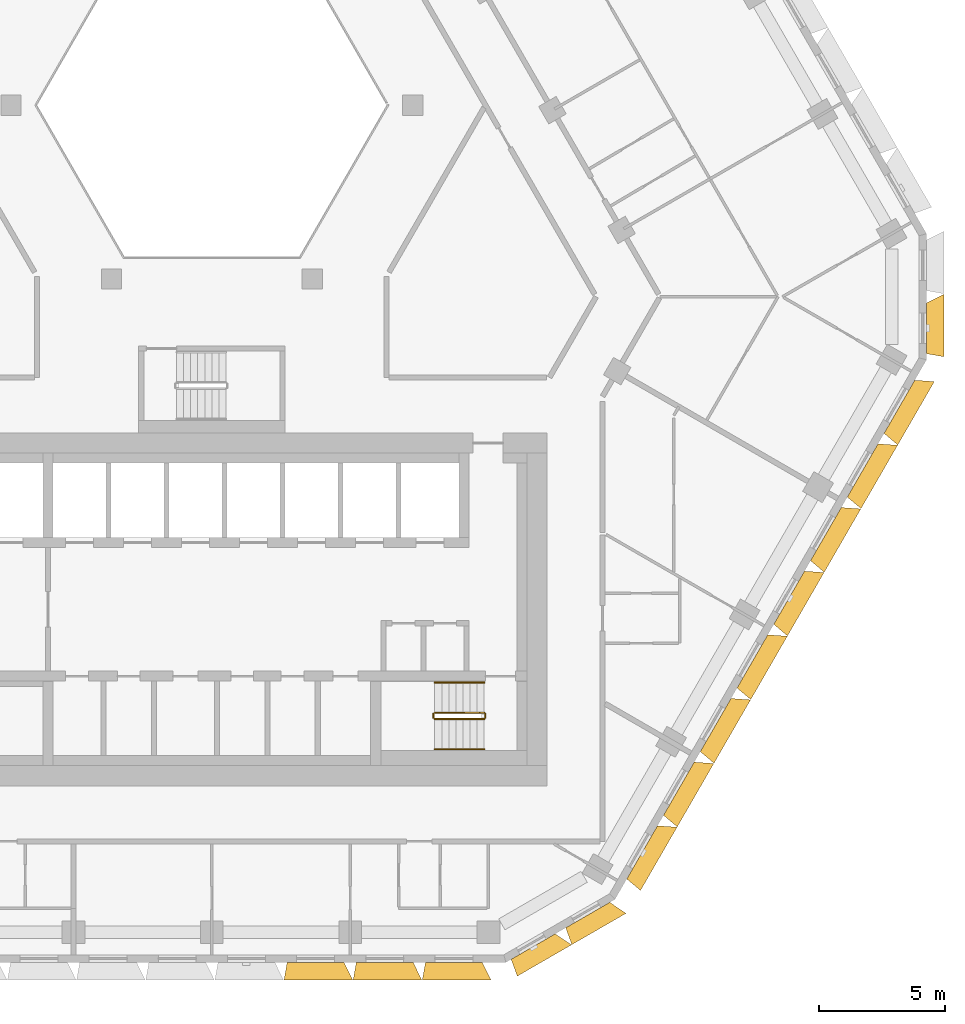
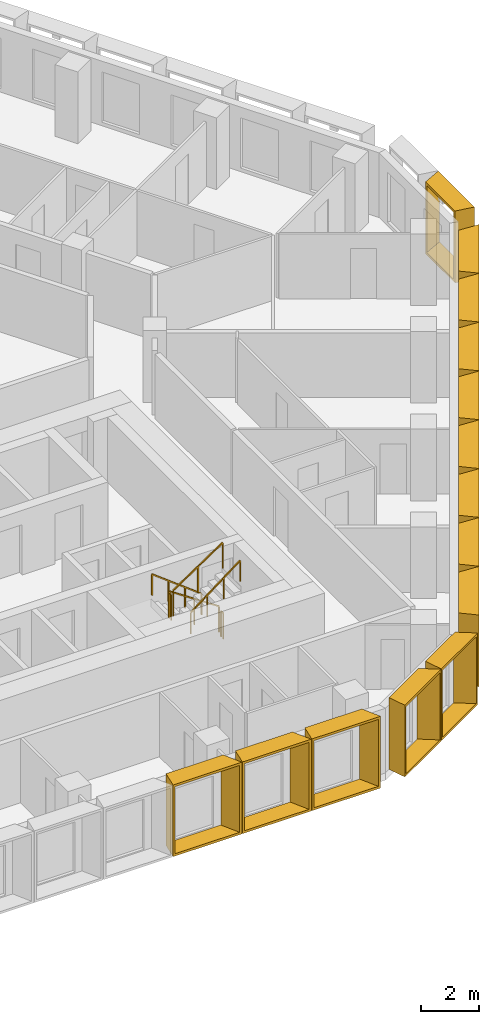
# One storey, part 17 of 18: 14 shading devices, 6 railings.
"""IFC4 building model written with IfcOpenShell, lengths in metres."""

from ifc_helpers import new_model, entity, si_unit, direction, frame, origin, origin_2d, place, context, subcontext, project, spatial, rectangle, extrude, source, transform, mapped, material, type_object, type_shapes, element, save


model = new_model("IFC4")

# Units and contexts
model_context = context("Model", 3, precision=1e-05, world=origin(), true_north=direction((0.0, 1.0)))
body_context = subcontext(model_context, "Body", "Model", "MODEL_VIEW")
ifc_project = project(units=[si_unit("LENGTHUNIT", "METRE"), si_unit("AREAUNIT", "SQUARE_METRE"), si_unit("VOLUMEUNIT", "CUBIC_METRE"), si_unit("PLANEANGLEUNIT", "RADIAN"), si_unit("MASSUNIT", "GRAM", prefix="KILO")], contexts=[model_context])

# Site, building, storey
site_placement = place(None, origin())
site = spatial("IfcSite", under=ifc_project, at=site_placement, CompositionType="ELEMENT")
building_placement = place(site_placement, origin())
building = spatial("IfcBuilding", under=site, at=building_placement, Name="Beryl Residences", CompositionType="ELEMENT")
storey_placement = place(building_placement, frame((0.0, 0.0, 138.60009765625)))
storey = spatial("IfcBuildingStorey", under=building, at=storey_placement, Name="L42", CompositionType="ELEMENT", Elevation=138.60009765625)

# Shading devices
ifc_material_1 = material(Name="Aluminium pale anodised", Category="aluminium")
shading_device_type_1 = type_object("IfcShadingDeviceType", Name="FR250-70C OUTER SKIN frame 700 mm deep, splay 10/26 deg, 2500 x 3000 mm cell", PredefinedType="USERDEFINED", material=ifc_material_1)
cartesian_point_1 = entity("IfcCartesianPoint", [-1.007568359375, 0.0])
cartesian_point_2 = entity("IfcCartesianPoint", [-0.92626953125, 0.10009765625])
cartesian_point_3 = entity("IfcCartesianPoint", [-1.130859375, 0.0])
cartesian_point_4 = entity("IfcCartesianPoint", [-1.0498046875, 0.10009765625])
shared_shape_1 = source(origin(), body_context, "Body", "SweptSolid", [
    entity("IfcExtrudedAreaSolidTapered", entity("IfcArbitraryProfileDefWithVoids", "AREA", None, entity("IfcPolyline", [cartesian_point_1, entity("IfcCartesianPoint", [1.007568359375, 0.0]), entity("IfcCartesianPoint", [1.007568359375, 3.0]), entity("IfcCartesianPoint", [-1.007568359375, 3.0]), cartesian_point_1]), [entity("IfcPolyline", [cartesian_point_2, entity("IfcCartesianPoint", [0.91845703125, 0.10009765625]), entity("IfcCartesianPoint", [0.91845703125, 2.89990234375]), entity("IfcCartesianPoint", [-0.92626953125, 2.89990234375]), cartesian_point_2])]), entity("IfcAxis2Placement3D", entity("IfcCartesianPoint", [0.0, 0.0, 0.0]), entity("IfcDirection", [0.0, 1.0, 0.0]), entity("IfcDirection", [-1.0, 0.0, 0.0])), entity("IfcDirection", [0.0, 0.0, 1.0]), 0.699951171875, entity("IfcArbitraryProfileDefWithVoids", "AREA", None, entity("IfcPolyline", [cartesian_point_3, entity("IfcCartesianPoint", [1.348876953125, 0.0]), entity("IfcCartesianPoint", [1.348876953125, 3.0]), entity("IfcCartesianPoint", [-1.130859375, 3.0]), cartesian_point_3]), [entity("IfcPolyline", [cartesian_point_4, entity("IfcCartesianPoint", [1.260009765625, 0.10009765625]), entity("IfcCartesianPoint", [1.260009765625, 2.89990234375]), entity("IfcCartesianPoint", [-1.0498046875, 2.89990234375]), cartesian_point_4])])),
])
type_shapes(shading_device_type_1, [shared_shape_1])
for number, where, z_axis, x_axis, name in (
    (1, (12.7451171875, -25.375, 0.0), (0.0, 0.0, 1.0), (-0.866025403784, -0.5, 0.0), "FR250-70C frame L42 S-SE 1"),
    (2, (14.909912109375, -24.125, 0.0), (0.0, 0.0, 1.0), (-0.866025403784, -0.5, 0.0), "FR250-70C frame L42 S-SE 2"),
    (3, (28.347900390625, -0.85009765625, 0.0), (0.0, 0.0, 1.0), (0.0, -1.0, 0.0), "FR250-70C frame L42 SE-NE 1"),
):
    element("IfcShadingDevice", number, at=place(storey_placement, frame(where, z_axis=z_axis, x_axis=x_axis)), inside=storey, type_object=shading_device_type_1, Name=name, ObjectType="OUTER SKIN", PredefinedType="USERDEFINED", context=body_context, shape_type="MappedRepresentation", body=[
        mapped(shared_shape_1, transform((0.0, 0.0, 0.0))),
    ])
ifc_material_2 = material(Name="Aluminium pale anodised", Category="aluminium")
shading_device_type_2 = type_object("IfcShadingDeviceType", Name="FR274-70C OUTER SKIN frame 700 mm deep, splay 10/26 deg, 2740 x 3000 mm cell", PredefinedType="USERDEFINED", material=ifc_material_2)
cartesian_point_5 = entity("IfcCartesianPoint", [-1.12744140625, 0.0])
cartesian_point_6 = entity("IfcCartesianPoint", [-1.04638671875, 0.10009765625])
cartesian_point_7 = entity("IfcCartesianPoint", [-1.2509765625, 0.0])
cartesian_point_8 = entity("IfcCartesianPoint", [-1.169677734375, 0.10009765625])
shared_shape_2 = source(origin(), body_context, "Body", "SweptSolid", [
    entity("IfcExtrudedAreaSolidTapered", entity("IfcArbitraryProfileDefWithVoids", "AREA", None, entity("IfcPolyline", [cartesian_point_5, entity("IfcCartesianPoint", [1.12744140625, 0.0]), entity("IfcCartesianPoint", [1.12744140625, 3.0]), entity("IfcCartesianPoint", [-1.12744140625, 3.0]), cartesian_point_5]), [entity("IfcPolyline", [cartesian_point_6, entity("IfcCartesianPoint", [1.03857421875, 0.10009765625]), entity("IfcCartesianPoint", [1.03857421875, 2.89990234375]), entity("IfcCartesianPoint", [-1.04638671875, 2.89990234375]), cartesian_point_6])]), entity("IfcAxis2Placement3D", entity("IfcCartesianPoint", [0.0, 0.0, 0.0]), entity("IfcDirection", [0.0, 1.0, 0.0]), entity("IfcDirection", [-1.0, 0.0, 0.0])), entity("IfcDirection", [0.0, 0.0, 1.0]), 0.699951171875, entity("IfcArbitraryProfileDefWithVoids", "AREA", None, entity("IfcPolyline", [cartesian_point_7, entity("IfcCartesianPoint", [1.468994140625, 0.0]), entity("IfcCartesianPoint", [1.468994140625, 3.0]), entity("IfcCartesianPoint", [-1.2509765625, 3.0]), cartesian_point_7]), [entity("IfcPolyline", [cartesian_point_8, entity("IfcCartesianPoint", [1.3798828125, 0.10009765625]), entity("IfcCartesianPoint", [1.3798828125, 2.89990234375]), entity("IfcCartesianPoint", [-1.169677734375, 2.89990234375]), cartesian_point_8])])),
])
type_shapes(shading_device_type_2, [shared_shape_2])
for number, where, z_axis, x_axis, name in (
    (4, (4.114990234375, -26.0, 0.0), (0.0, 0.0, 1.0), (-1.0, 0.0, 0.0), "FR274-70C frame L42 S 6"),
    (5, (6.85693359375, -26.0, 0.0), (0.0, 0.0, 1.0), (-1.0, 0.0, 0.0), "FR274-70C frame L42 S 7"),
    (6, (9.60009765625, -26.0, 0.0), (0.0, 0.0, 1.0), (-1.0, 0.0, 0.0), "FR274-70C frame L42 S 8"),
):
    element("IfcShadingDevice", number, at=place(storey_placement, frame(where, z_axis=z_axis, x_axis=x_axis)), inside=storey, type_object=shading_device_type_2, Name=name, ObjectType="OUTER SKIN", PredefinedType="USERDEFINED", context=body_context, shape_type="MappedRepresentation", body=[
        mapped(shared_shape_2, transform((0.0, 0.0, 0.0))),
    ])
ifc_material_3 = material(Name="Aluminium pale anodised", Category="aluminium")
shading_device_type_3 = type_object("IfcShadingDeviceType", Name="FR292-70C OUTER SKIN frame 700 mm deep, splay 10/26 deg, 2920 x 3000 mm cell", PredefinedType="USERDEFINED", material=ifc_material_3)
cartesian_point_9 = entity("IfcCartesianPoint", [-1.217529296875, 0.0])
cartesian_point_10 = entity("IfcCartesianPoint", [-1.13623046875, 0.10009765625])
cartesian_point_11 = entity("IfcCartesianPoint", [-1.3408203125, 0.0])
cartesian_point_12 = entity("IfcCartesianPoint", [-1.259765625, 0.10009765625])
shared_shape_3 = source(origin(), body_context, "Body", "SweptSolid", [
    entity("IfcExtrudedAreaSolidTapered", entity("IfcArbitraryProfileDefWithVoids", "AREA", None, entity("IfcPolyline", [cartesian_point_9, entity("IfcCartesianPoint", [1.217529296875, 0.0]), entity("IfcCartesianPoint", [1.217529296875, 3.0]), entity("IfcCartesianPoint", [-1.217529296875, 3.0]), cartesian_point_9]), [entity("IfcPolyline", [cartesian_point_10, entity("IfcCartesianPoint", [1.12841796875, 0.10009765625]), entity("IfcCartesianPoint", [1.12841796875, 2.89990234375]), entity("IfcCartesianPoint", [-1.13623046875, 2.89990234375]), cartesian_point_10])]), entity("IfcAxis2Placement3D", entity("IfcCartesianPoint", [0.0, 0.0, 0.0]), entity("IfcDirection", [0.0, 1.0, 0.0]), entity("IfcDirection", [-1.0, 0.0, 0.0])), entity("IfcDirection", [0.0, 0.0, 1.0]), 0.699951171875, entity("IfcArbitraryProfileDefWithVoids", "AREA", None, entity("IfcPolyline", [cartesian_point_11, entity("IfcCartesianPoint", [1.558837890625, 0.0]), entity("IfcCartesianPoint", [1.558837890625, 3.0]), entity("IfcCartesianPoint", [-1.3408203125, 3.0]), cartesian_point_11]), [entity("IfcPolyline", [cartesian_point_12, entity("IfcCartesianPoint", [1.469970703125, 0.10009765625]), entity("IfcCartesianPoint", [1.469970703125, 2.89990234375]), entity("IfcCartesianPoint", [-1.259765625, 2.89990234375]), cartesian_point_12])])),
])
type_shapes(shading_device_type_3, [shared_shape_3])
for number, where, z_axis, x_axis, name in (
    (7, (17.06689453125, -21.637939453125, 0.0), (0.0, 0.0, 1.0), (-0.5, -0.866025403784, 0.0), "FR292-70C frame L42 SE 1"),
    (8, (18.52490234375, -19.113037109375, 0.0), (0.0, 0.0, 1.0), (-0.5, -0.866025403784, 0.0), "FR292-70C frame L42 SE 2"),
    (9, (19.98291015625, -16.587890625, 0.0), (0.0, 0.0, 1.0), (-0.5, -0.866025403784, 0.0), "FR292-70C frame L42 SE 3"),
    (10, (21.44091796875, -14.06298828125, 0.0), (0.0, 0.0, 1.0), (-0.5, -0.866025403784, 0.0), "FR292-70C frame L42 SE 4"),
    (11, (22.89794921875, -11.5380859375, 0.0), (0.0, 0.0, 1.0), (-0.5, -0.866025403784, 0.0), "FR292-70C frame L42 SE 5"),
    (12, (24.35595703125, -9.013916015625, 0.0), (0.0, 0.0, 1.0), (-0.5, -0.866025403784, 0.0), "FR292-70C frame L42 SE 6"),
    (13, (25.81396484375, -6.489013671875, 0.0), (0.0, 0.0, 1.0), (-0.5, -0.866025403784, 0.0), "FR292-70C frame L42 SE 7"),
    (14, (27.27197265625, -3.964111328125, 0.0), (0.0, 0.0, 1.0), (-0.5, -0.866025403784, 0.0), "FR292-70C frame L42 SE 8"),
):
    element("IfcShadingDevice", number, at=place(storey_placement, frame(where, z_axis=z_axis, x_axis=x_axis)), inside=storey, type_object=shading_device_type_3, Name=name, ObjectType="OUTER SKIN", PredefinedType="USERDEFINED", context=body_context, shape_type="MappedRepresentation", body=[
        mapped(shared_shape_3, transform((0.0, 0.0, 0.0))),
    ])

# Railings
ifc_material_4 = material(Name="Stainless steel balustrade with glass infill", Category="steel")
railing_type_1 = type_object("IfcRailingType", Name="SG1 stair guard 1100 mm", PredefinedType="GUARDRAIL", material=ifc_material_4)
railing_1_placement = place(storey_placement, frame((10.800048828125, -16.10009765625, 0.1875)))
element("IfcRailing", 15, at=railing_1_placement, inside=storey, type_object=railing_type_1, Name="L42 ST-3 stair guard 1", PredefinedType="GUARDRAIL", context=body_context, shape_type="SweptSolid", body=[
    extrude(rectangle(XDim=0.048095703125, YDim=0.048095703125, at=origin_2d()), frame((0.0, 0.0, 1.076171875), z_axis=(-0.830902050051, 0.0, 0.556418712142), x_axis=(0.0, -1.0, 0.0)), (0.0, 0.0, 1.0), 2.35888671875),
    extrude(rectangle(XDim=0.0419921875, YDim=0.0419921875, at=origin_2d()), origin(), (0.0, 0.0, 1.0), 1.052001953125),
    extrude(rectangle(XDim=0.0419921875, YDim=0.0419921875, at=origin_2d()), frame((-0.97998046875, 0.0, 0.65625)), (0.0, 0.0, 1.0), 1.052001953125),
    extrude(rectangle(XDim=0.0419921875, YDim=0.0419921875, at=origin_2d()), frame((-1.9599609375, 0.0, 1.3125)), (0.0, 0.0, 1.0), 1.052001953125),
])
railing_2_placement = place(storey_placement, frame((8.7900390625, -16.14990234375, 1.5)))
element("IfcRailing", 16, at=railing_2_placement, inside=storey, type_object=railing_type_1, Name="L42 ST-3 stair guard 2", PredefinedType="GUARDRAIL", context=body_context, shape_type="SweptSolid", body=[
    extrude(rectangle(XDim=0.048095703125, YDim=0.048095703125, at=origin_2d()), frame((0.0, 0.0, 1.076171875), z_axis=(0.0, -1.0, 0.0), x_axis=(1.0, 0.0, 0.0)), (0.0, 0.0, 1.0), 0.150146484375),
    extrude(rectangle(XDim=0.0419921875, YDim=0.0419921875, at=origin_2d()), origin(), (0.0, 0.0, 1.0), 1.052001953125),
    extrude(rectangle(XDim=0.0419921875, YDim=0.0419921875, at=origin_2d()), frame((0.0, -0.150146484375, 0.0)), (0.0, 0.0, 1.0), 1.052001953125),
])
railing_3_placement = place(storey_placement, frame((8.840087890625, -16.35009765625, 1.6875)))
element("IfcRailing", 17, at=railing_3_placement, inside=storey, type_object=railing_type_1, Name="L42 ST-3 stair guard 3", PredefinedType="GUARDRAIL", context=body_context, shape_type="SweptSolid", body=[
    extrude(rectangle(XDim=0.048095703125, YDim=0.048095703125, at=origin_2d()), frame((0.0, 0.0, 1.076171875), z_axis=(0.830902050051, 0.0, 0.556418712142), x_axis=(0.0, 1.0, 0.0)), (0.0, 0.0, 1.0), 2.35888671875),
    extrude(rectangle(XDim=0.0419921875, YDim=0.0419921875, at=origin_2d()), origin(), (0.0, 0.0, 1.0), 1.052001953125),
    extrude(rectangle(XDim=0.0419921875, YDim=0.0419921875, at=origin_2d()), frame((0.97998046875, 0.0, 0.65625)), (0.0, 0.0, 1.0), 1.052001953125),
    extrude(rectangle(XDim=0.0419921875, YDim=0.0419921875, at=origin_2d()), frame((1.9599609375, 0.0, 1.3125)), (0.0, 0.0, 1.0), 1.052001953125),
])
railing_4_placement = place(storey_placement, frame((10.85009765625, -16.14990234375, 0.0)))
element("IfcRailing", 18, at=railing_4_placement, inside=storey, type_object=railing_type_1, Name="L42 ST-3 stair guard 4", PredefinedType="GUARDRAIL", context=body_context, shape_type="SweptSolid", body=[
    extrude(rectangle(XDim=0.048095703125, YDim=0.048095703125, at=origin_2d()), frame((0.0, 0.0, 1.076171875), z_axis=(0.0, -1.0, 0.0), x_axis=(1.0, 0.0, 0.0)), (0.0, 0.0, 1.0), 0.150146484375),
    extrude(rectangle(XDim=0.0419921875, YDim=0.0419921875, at=origin_2d()), origin(), (0.0, 0.0, 1.0), 1.052001953125),
    extrude(rectangle(XDim=0.0419921875, YDim=0.0419921875, at=origin_2d()), frame((0.0, -0.150146484375, 0.0)), (0.0, 0.0, 1.0), 1.052001953125),
])
ifc_material_5 = material(Name="Stainless steel handrail", Category="steel")
railing_type_2 = type_object("IfcRailingType", Name="SRL1 stair handrail 900 mm", PredefinedType="HANDRAIL", material=ifc_material_5)
railing_5_placement = place(storey_placement, frame((10.800048828125, -14.89990234375, 0.1875)))
element("IfcRailing", 19, at=railing_5_placement, inside=storey, type_object=railing_type_2, Name="L42 ST-3 stair handrail 1", PredefinedType="HANDRAIL", context=body_context, shape_type="SweptSolid", body=[
    extrude(rectangle(XDim=0.048095703125, YDim=0.048095703125, at=origin_2d()), frame((0.0, 0.0, 0.8759765625), z_axis=(-0.794121922505, 0.0, 0.607758481798), x_axis=(0.0, -1.0, 0.0)), (0.0, 0.0, 1.0), 2.468017578125),
    extrude(rectangle(XDim=0.0419921875, YDim=0.0419921875, at=origin_2d()), origin(), (0.0, 0.0, 1.0), 0.851806640625),
    extrude(rectangle(XDim=0.0419921875, YDim=0.0419921875, at=origin_2d()), frame((-0.6533203125, 0.0, 0.5)), (0.0, 0.0, 1.0), 0.851806640625),
    extrude(rectangle(XDim=0.0419921875, YDim=0.0419921875, at=origin_2d()), frame((-1.306640625, 0.0, 1.0)), (0.0, 0.0, 1.0), 0.851806640625),
    extrude(rectangle(XDim=0.0419921875, YDim=0.0419921875, at=origin_2d()), frame((-1.9599609375, 0.0, 1.5)), (0.0, 0.0, 1.0), 0.851806640625),
])
railing_6_placement = place(storey_placement, frame((8.840087890625, -17.550048828125, 1.6875)))
element("IfcRailing", 20, at=railing_6_placement, inside=storey, type_object=railing_type_2, Name="L42 ST-3 stair handrail 2", PredefinedType="HANDRAIL", context=body_context, shape_type="SweptSolid", body=[
    extrude(rectangle(XDim=0.048095703125, YDim=0.048095703125, at=origin_2d()), frame((0.0, 0.0, 0.8759765625), z_axis=(0.794121922505, 0.0, 0.607758481798), x_axis=(0.0, 1.0, 0.0)), (0.0, 0.0, 1.0), 2.468017578125),
    extrude(rectangle(XDim=0.0419921875, YDim=0.0419921875, at=origin_2d()), origin(), (0.0, 0.0, 1.0), 0.851806640625),
    extrude(rectangle(XDim=0.0419921875, YDim=0.0419921875, at=origin_2d()), frame((0.6533203125, 0.0, 0.5)), (0.0, 0.0, 1.0), 0.851806640625),
    extrude(rectangle(XDim=0.0419921875, YDim=0.0419921875, at=origin_2d()), frame((1.306640625, 0.0, 1.0)), (0.0, 0.0, 1.0), 0.851806640625),
    extrude(rectangle(XDim=0.0419921875, YDim=0.0419921875, at=origin_2d()), frame((1.9599609375, 0.0, 1.5)), (0.0, 0.0, 1.0), 0.851806640625),
])

save(model, "model.ifc")
